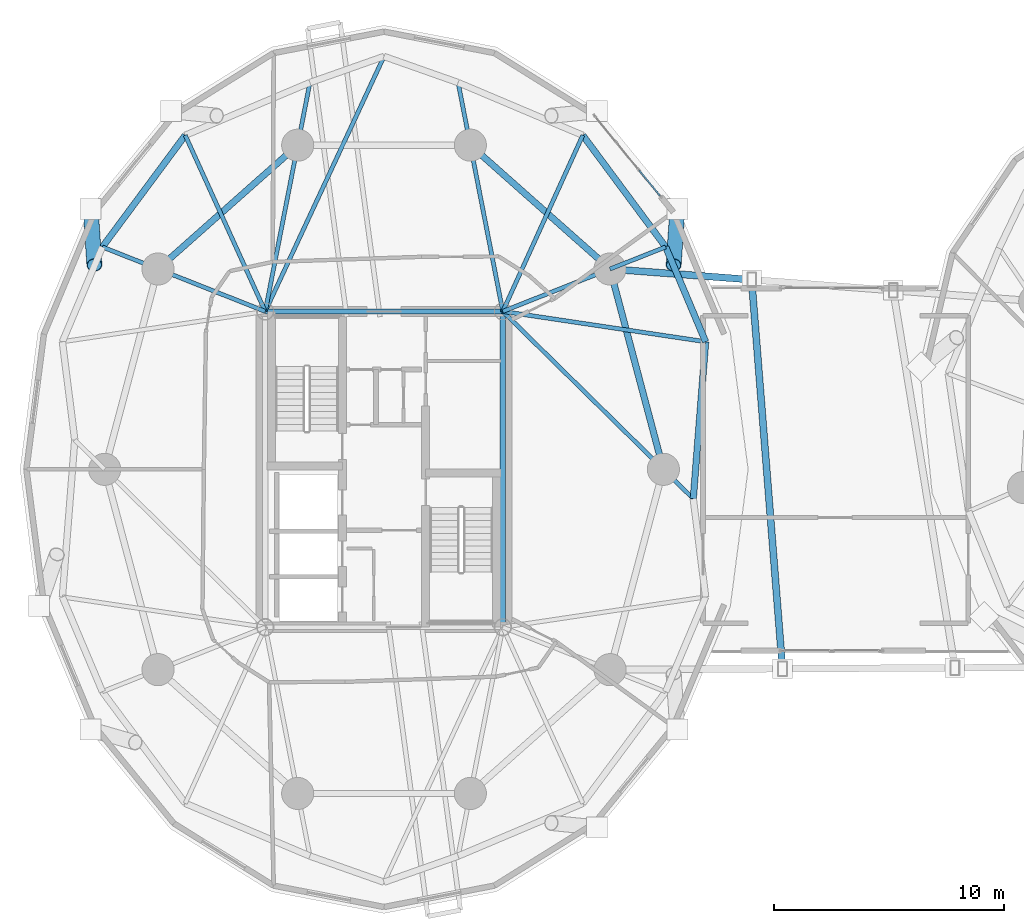
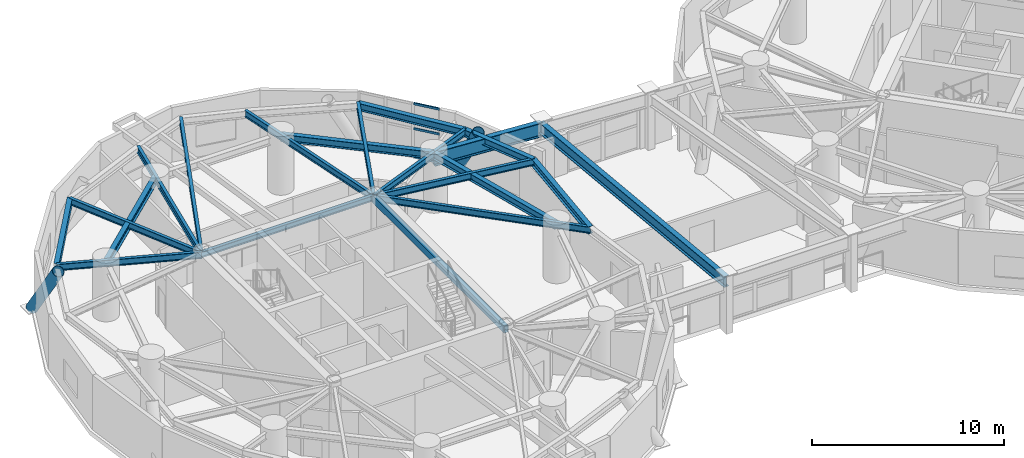
# One storey, part 2 of 20: 21 beams, 5 members, 1 element without a shape of its own.
"""IFC4 building model written with IfcOpenShell, lengths in metres."""

from ifc_helpers import new_model, si_unit, direction, frame, origin, origin_2d, place, context, subcontext, project, spatial, hollow_rectangle, hollow_circle, i_section, extrude, material, layer, layer_set, material_profile, profile_set, type_object, element, aggregate, save


model = new_model("IFC4")

# Units and contexts
model_context = context("Model", 3, precision=1e-05, world=origin(), true_north=direction((0.0, 1.0)))
body_context = subcontext(model_context, "Body", "Model", "MODEL_VIEW")
ifc_project = project(units=[si_unit("LENGTHUNIT", "METRE"), si_unit("AREAUNIT", "SQUARE_METRE"), si_unit("VOLUMEUNIT", "CUBIC_METRE"), si_unit("PLANEANGLEUNIT", "RADIAN"), si_unit("MASSUNIT", "GRAM", prefix="KILO")], contexts=[model_context])

# Site, building, storey
site_placement = place(None, origin())
site = spatial("IfcSite", under=ifc_project, at=site_placement, CompositionType="ELEMENT")
building_placement = place(site_placement, origin())
building = spatial("IfcBuilding", under=site, at=building_placement, Name="Cununo Teusaquillo Station Towers", CompositionType="ELEMENT")
storey_placement = place(building_placement, frame((0.0, 0.0, 140.320068359375)))
storey = spatial("IfcBuildingStorey", under=building, at=storey_placement, Name="L44", CompositionType="ELEMENT", Elevation=140.320068359375)

# Beams
ifc_material_1 = material(Name="Steel EN 10025-2 S355J2", Category="steel")
ifc_material_profile_1 = material_profile(ifc_material_1, i_section(OverallWidth=0.300048828125, OverallDepth=0.89990234375, WebThickness=0.0185546875, FlangeThickness=0.034912109375, FilletRadius=0.027099609375, at=origin_2d()), Name="HEB 900")
ifc_profile_set_1 = profile_set([ifc_material_profile_1], Name="Steel EN 10025-2 S355J2")
beam_type_1 = type_object("IfcBeamType", Name="BM-BRG-CH2", PredefinedType="BEAM", material=ifc_profile_set_1)
beam_1_placement = place(storey_placement, frame((26.347412109375, 33.228515625, 3.02001953125), z_axis=(0.997146155085, -0.075495333624, 0.0), x_axis=(0.075495333624, 0.997146155085, 0.0)))
element("IfcBeam", 1, at=beam_1_placement, inside=storey, type_object=beam_type_1, Name="L44 Mid-Bridge Chord N1", PredefinedType="BEAM", context=body_context, shape_type="SweptSolid", body=[
    extrude(i_section(OverallWidth=0.300048828125, OverallDepth=0.89990234375, WebThickness=0.0185546875, FlangeThickness=0.034912109375, FilletRadius=0.027099609375, at=origin_2d()), origin(), (0.0, 0.0, 1.0), 6.186279296875),
])
ifc_material_2 = material(Name="Steel EN 10025-2 S355J2", Category="steel")
ifc_material_profile_2 = material_profile(ifc_material_2, i_section(OverallWidth=0.300048828125, OverallDepth=0.699951171875, WebThickness=0.01708984375, FlangeThickness=0.031982421875, FilletRadius=0.027099609375, at=origin_2d()), Name="HEB 700")
ifc_profile_set_2 = profile_set([ifc_material_profile_2], Name="Steel EN 10025-2 S355J2")
beam_type_2 = type_object("IfcBeamType", Name="BM-BRG-FLR", PredefinedType="BEAM", material=ifc_profile_set_2)
beam_2_placement = place(storey_placement, frame((33.862548828125, 15.81201171875, 3.119873046875), z_axis=(-0.079188777853, 0.996859637794, 0.0), x_axis=(-0.996859637794, -0.079188777853, 0.0)))
element("IfcBeam", 2, at=beam_2_placement, inside=storey, type_object=beam_type_2, Name="L44 Mid-Bridge Transverse Floor Girder 1", PredefinedType="BEAM", context=body_context, shape_type="SweptSolid", body=[
    extrude(i_section(OverallWidth=0.300048828125, OverallDepth=0.699951171875, WebThickness=0.01708984375, FlangeThickness=0.031982421875, FilletRadius=0.027099609375, at=origin_2d()), origin(), (0.0, 0.0, 1.0), 17.0029296875),
])
ifc_material_3 = material(Name="Steel EN 10025-2 S355J2", Category="steel")
ifc_material_profile_3 = material_profile(ifc_material_3, hollow_rectangle(XDim=0.25, YDim=0.449951171875, WallThickness=0.01611328125, at=origin_2d()), Name="RHS 450x250x16")
ifc_profile_set_3 = profile_set([ifc_material_profile_3], Name="Steel EN 10025-2 S355J2")
beam_type_3 = type_object("IfcBeamType", Name="BM-COUP-1", PredefinedType="USERDEFINED", material=ifc_profile_set_3)
beam_3_placement = place(storey_placement, frame((21.675048828125, 17.6201171875, 3.2548828125), z_axis=(0.0, 1.0, 0.0), x_axis=(-1.0, 0.0, 0.0)))
element("IfcBeam", 3, at=beam_3_placement, inside=storey, type_object=beam_type_3, Name="L44 Tower A Core Beam 2", ObjectType="COUPLING BEAM", PredefinedType="USERDEFINED", context=body_context, shape_type="SweptSolid", body=[
    extrude(hollow_rectangle(XDim=0.25, YDim=0.449951171875, WallThickness=0.01611328125, at=origin_2d()), origin(), (0.0, 0.0, 1.0), 13.759765625),
])
ifc_material_4 = material(Name="Steel ASTM A572 Grade 50", Category="steel")
ifc_material_profile_4 = material_profile(ifc_material_4, i_section(OverallWidth=0.180908203125, OverallDepth=0.4169921875, WebThickness=0.010986328125, FlangeThickness=0.018310546875, FilletRadius=0.012939453125, at=origin_2d()), Name="W16X57")
ifc_profile_set_4 = profile_set([ifc_material_profile_4], Name="Steel ASTM A572 Grade 50")
beam_type_4 = type_object("IfcBeamType", Name="BM-JOIST-1", PredefinedType="JOIST", material=ifc_profile_set_4)
beam_4_placement = place(storey_placement, frame((21.675048828125, 31.3798828125, 3.271484375), z_axis=(0.989018754675, -0.147790063606, 0.0), x_axis=(0.147790063606, 0.989018754675, 0.0)))
element("IfcBeam", 4, at=beam_4_placement, inside=storey, type_object=beam_type_4, Name="L44 Tower A Radial Spandrel Joist V01", PredefinedType="JOIST", context=body_context, shape_type="SweptSolid", body=[
    extrude(i_section(OverallWidth=0.180908203125, OverallDepth=0.4169921875, WebThickness=0.010986328125, FlangeThickness=0.018310546875, FilletRadius=0.012939453125, at=origin_2d()), origin(), (0.0, 0.0, 1.0), 8.93701171875),
])
beam_5_placement = place(storey_placement, frame((21.675048828125, 31.3798828125, 3.271484375), z_axis=(0.413558514621, 0.910477542274, 0.0), x_axis=(-0.910477542274, 0.413558514621, 0.0)))
element("IfcBeam", 5, at=beam_5_placement, inside=storey, type_object=beam_type_4, Name="L44 Tower A Radial Spandrel Joist V03", PredefinedType="JOIST", context=body_context, shape_type="SweptSolid", body=[
    extrude(i_section(OverallWidth=0.180908203125, OverallDepth=0.4169921875, WebThickness=0.010986328125, FlangeThickness=0.018310546875, FilletRadius=0.012939453125, at=origin_2d()), origin(), (0.0, 0.0, 1.0), 8.428955078125),
])
beam_6_placement = place(storey_placement, frame((11.324951171875, 31.3798828125, 3.271484375), z_axis=(0.422237603969, 0.906485193368, 0.0), x_axis=(-0.906485193368, 0.422237603969, 0.0)))
element("IfcBeam", 6, at=beam_6_placement, inside=storey, type_object=beam_type_4, Name="L44 Tower A Radial Spandrel Joist V05", PredefinedType="JOIST", context=body_context, shape_type="SweptSolid", body=[
    extrude(i_section(OverallWidth=0.180908203125, OverallDepth=0.4169921875, WebThickness=0.010986328125, FlangeThickness=0.018310546875, FilletRadius=0.012939453125, at=origin_2d()), origin(), (0.0, 0.0, 1.0), 12.25634765625),
])
beam_7_placement = place(storey_placement, frame((11.324951171875, 31.3798828125, 3.271484375), z_axis=(-0.413558514621, 0.910477542274, 0.0), x_axis=(-0.910477542274, -0.413558514621, 0.0)))
element("IfcBeam", 7, at=beam_7_placement, inside=storey, type_object=beam_type_4, Name="L44 Tower A Radial Spandrel Joist V07", PredefinedType="JOIST", context=body_context, shape_type="SweptSolid", body=[
    extrude(i_section(OverallWidth=0.180908203125, OverallDepth=0.4169921875, WebThickness=0.010986328125, FlangeThickness=0.018310546875, FilletRadius=0.012939453125, at=origin_2d()), origin(), (0.0, 0.0, 1.0), 8.428955078125),
])
ifc_material_5 = material(Name="Steel ASTM A572 Grade 50", Category="steel")
ifc_material_profile_5 = material_profile(ifc_material_5, i_section(OverallWidth=0.2041015625, OverallDepth=0.35009765625, WebThickness=0.008544921875, FlangeThickness=0.01513671875, FilletRadius=0.011962890625, at=origin_2d()), Name="W14X48")
ifc_profile_set_5 = profile_set([ifc_material_profile_5], Name="Steel ASTM A572 Grade 50")
beam_type_5 = type_object("IfcBeamType", Name="BM-LINTEL-1", PredefinedType="LINTEL", material=ifc_profile_set_5)
beam_8_placement = place(storey_placement, frame((11.324951171875, 31.3798828125, 3.304931640625), z_axis=(1.0, 0.0, 0.0), x_axis=(0.0, 1.0, 0.0)))
element("IfcBeam", 8, at=beam_8_placement, inside=storey, type_object=beam_type_5, Name="L44 Tower A Core Beam 4", PredefinedType="LINTEL", context=body_context, shape_type="SweptSolid", body=[
    extrude(i_section(OverallWidth=0.2041015625, OverallDepth=0.35009765625, WebThickness=0.008544921875, FlangeThickness=0.01513671875, FilletRadius=0.011962890625, at=origin_2d()), origin(), (0.0, 0.0, 1.0), 10.35009765625),
])
ifc_material_6 = material(Name="Steel ASTM A572 Grade 50", Category="steel")
ifc_material_profile_6 = material_profile(ifc_material_6, i_section(OverallWidth=0.180908203125, OverallDepth=0.4169921875, WebThickness=0.010986328125, FlangeThickness=0.018310546875, FilletRadius=0.012939453125, at=origin_2d()), Name="W16X57")
ifc_profile_set_6 = profile_set([ifc_material_profile_6], Name="Steel ASTM A572 Grade 50")
beam_type_6 = type_object("IfcBeamType", Name="BM-RAD-G2", PredefinedType="BEAM", material=ifc_profile_set_6)
beam_9_placement = place(storey_placement, frame((21.675048828125, 31.3798828125, 3.271484375), z_axis=(0.71304866969, -0.701114537471, 0.0), x_axis=(0.701114537471, 0.71304866969, 0.0)))
element("IfcBeam", 9, at=beam_9_placement, inside=storey, type_object=beam_type_6, Name="L44 Tower A Continuous Overhanging Radial Girder 01", PredefinedType="BEAM", context=body_context, shape_type="SweptSolid", body=[
    extrude(i_section(OverallWidth=0.180908203125, OverallDepth=0.4169921875, WebThickness=0.010986328125, FlangeThickness=0.018310546875, FilletRadius=0.012939453125, at=origin_2d()), origin(), (0.0, 0.0, 1.0), 11.64013671875),
])
beam_10_placement = place(storey_placement, frame((21.675048828125, 31.3798828125, 3.271484375), z_axis=(0.929864104313, 0.367903176814, 0.0), x_axis=(-0.367903176814, 0.929864104313, 0.0)))
element("IfcBeam", 10, at=beam_10_placement, inside=storey, type_object=beam_type_6, Name="L44 Tower A Radial Girder 02A", PredefinedType="BEAM", context=body_context, shape_type="SweptSolid", body=[
    extrude(i_section(OverallWidth=0.180908203125, OverallDepth=0.4169921875, WebThickness=0.010986328125, FlangeThickness=0.018310546875, FilletRadius=0.012939453125, at=origin_2d()), origin(), (0.0, 0.0, 1.0), 5.02490234375),
])
beam_11_placement = place(storey_placement, frame((26.347412109375, 33.228515625, 3.271484375), z_axis=(0.929858677495, 0.367916892636, 0.0), x_axis=(-0.367916892636, 0.929858677495, 0.0)))
element("IfcBeam", 11, at=beam_11_placement, inside=storey, type_object=beam_type_6, Name="L44 Tower A Perimeter Overhang Girder 02B", PredefinedType="BEAM", context=body_context, shape_type="SweptSolid", body=[
    extrude(i_section(OverallWidth=0.180908203125, OverallDepth=0.4169921875, WebThickness=0.010986328125, FlangeThickness=0.018310546875, FilletRadius=0.012939453125, at=origin_2d()), origin(), (0.0, 0.0, 1.0), 2.607177734375),
])
for number, where, z_axis, x_axis, name in (
    (12, (21.675048828125, 31.3798828125, 3.271484375), (-0.191552706487, 0.981482328235, 0.0), (-0.981482328235, -0.191552706487, 0.0), "L44 Tower A Continuous Overhanging Radial Girder 03"),
    (13, (11.324951171875, 31.3798828125, 3.271484375), (0.191552706487, 0.981482328235, 0.0), (-0.981482328235, 0.191552706487, 0.0), "L44 Tower A Continuous Overhanging Radial Girder 04"),
):
    element("IfcBeam", number, at=place(storey_placement, frame(where, z_axis=z_axis, x_axis=x_axis)), inside=storey, type_object=beam_type_6, Name=name, PredefinedType="BEAM", context=body_context, shape_type="SweptSolid", body=[
        extrude(i_section(OverallWidth=0.180908203125, OverallDepth=0.4169921875, WebThickness=0.010986328125, FlangeThickness=0.018310546875, FilletRadius=0.012939453125, at=origin_2d()), origin(), (0.0, 0.0, 1.0), 10.159423828125),
    ])
beam_12_placement = place(storey_placement, frame((11.324951171875, 31.3798828125, 3.271484375), z_axis=(-0.929862250459, 0.367907862341, 0.0), x_axis=(-0.367907862341, -0.929862250459, 0.0)))
element("IfcBeam", 14, at=beam_12_placement, inside=storey, type_object=beam_type_6, Name="L44 Tower A Continuous Overhanging Radial Girder 05", PredefinedType="BEAM", context=body_context, shape_type="SweptSolid", body=[
    extrude(i_section(OverallWidth=0.180908203125, OverallDepth=0.4169921875, WebThickness=0.010986328125, FlangeThickness=0.018310546875, FilletRadius=0.012939453125, at=origin_2d()), origin(), (0.0, 0.0, 1.0), 7.632080078125),
])
ifc_material_7 = material(Name="Steel ASTM A572 Grade 50", Category="steel")
ifc_material_profile_7 = material_profile(ifc_material_7, i_section(OverallWidth=0.280029296875, OverallDepth=0.462890625, WebThickness=0.0107421875, FlangeThickness=0.017333984375, FilletRadius=0.013916015625, at=origin_2d()), Name="W18X76")
ifc_profile_set_7 = profile_set([ifc_material_profile_7], Name="Steel ASTM A572 Grade 50")
beam_type_7 = type_object("IfcBeamType", Name="BM-RING-Z2", PredefinedType="SPANDREL", material=ifc_profile_set_7)
beam_13_placement = place(storey_placement, frame((28.672119140625, 24.5, 3.24853515625), z_axis=(-0.257363196347, 0.966314744359, 0.0), x_axis=(-0.966314744359, -0.257363196347, 0.0)))
element("IfcBeam", 15, at=beam_13_placement, inside=storey, type_object=beam_type_7, Name="L44 Tower A Structural Column Ring Girder 01", PredefinedType="SPANDREL", context=body_context, shape_type="SweptSolid", body=[
    extrude(i_section(OverallWidth=0.280029296875, OverallDepth=0.462890625, WebThickness=0.0107421875, FlangeThickness=0.017333984375, FilletRadius=0.013916015625, at=origin_2d()), origin(), (0.0, 0.0, 1.0), 9.03271484375),
])
for number, where, z_axis, x_axis, name in (
    (16, (26.347412109375, 33.228515625, 3.24853515625), (-0.74832120039, 0.66333655187, 0.0), (-0.66333655187, -0.74832120039, 0.0), "L44 Tower A Structural Column Ring Girder 02"),
    (17, (12.738525390625, 38.623291015625, 3.24853515625), (-0.74832120039, -0.66333655187, 0.0), (0.66333655187, -0.74832120039, 0.0), "L44 Tower A Structural Column Ring Girder 04"),
):
    element("IfcBeam", number, at=place(storey_placement, frame(where, z_axis=z_axis, x_axis=x_axis)), inside=storey, type_object=beam_type_7, Name=name, PredefinedType="SPANDREL", context=body_context, shape_type="SweptSolid", body=[
        extrude(i_section(OverallWidth=0.280029296875, OverallDepth=0.462890625, WebThickness=0.0107421875, FlangeThickness=0.017333984375, FilletRadius=0.013916015625, at=origin_2d()), origin(), (0.0, 0.0, 1.0), 8.1328125),
    ])
beam_14_placement = place(storey_placement, frame((29.97509765625, 23.21875, 3.24853515625), z_axis=(0.078527541639, 0.996911944559, 0.0), x_axis=(-0.996911944559, 0.078527541639, 0.0)))
element("IfcBeam", 18, at=beam_14_placement, inside=storey, type_object=beam_type_7, Name="L44 Tower A Spandrel Ring Beam 01", PredefinedType="SPANDREL", context=body_context, shape_type="SweptSolid", body=[
    extrude(i_section(OverallWidth=0.280029296875, OverallDepth=0.462890625, WebThickness=0.0107421875, FlangeThickness=0.017333984375, FilletRadius=0.013916015625, at=origin_2d()), origin(), (0.0, 0.0, 1.0), 6.861572265625),
])
beam_15_placement = place(storey_placement, frame((30.513916015625, 30.05908203125, 3.24853515625), z_axis=(-0.388777827816, 0.921331536744, 0.0), x_axis=(-0.921331536744, -0.388777827816, 0.0)))
element("IfcBeam", 19, at=beam_15_placement, inside=storey, type_object=beam_type_7, Name="L44 Tower A Spandrel Ring Beam 02", PredefinedType="SPANDREL", context=body_context, shape_type="SweptSolid", body=[
    extrude(i_section(OverallWidth=0.280029296875, OverallDepth=0.462890625, WebThickness=0.0107421875, FlangeThickness=0.017333984375, FilletRadius=0.013916015625, at=origin_2d()), origin(), (0.0, 0.0, 1.0), 4.481201171875),
])
for number, where, z_axis, x_axis, name in (
    (20, (28.771728515625, 34.187744140625, 3.24853515625), (-0.595872908853, 0.803078748626, 0.0), (-0.803078748626, -0.595872908853, 0.0), "L44 Tower A Spandrel Ring Beam 03"),
    (21, (7.839111328125, 39.05419921875, 3.24853515625), (-0.595872908853, -0.803078748626, 0.0), (0.803078748626, -0.595872908853, 0.0), "L44 Tower A Spandrel Ring Beam 08"),
):
    element("IfcBeam", number, at=place(storey_placement, frame(where, z_axis=z_axis, x_axis=x_axis)), inside=storey, type_object=beam_type_7, Name=name, PredefinedType="SPANDREL", context=body_context, shape_type="SweptSolid", body=[
        extrude(i_section(OverallWidth=0.280029296875, OverallDepth=0.462890625, WebThickness=0.0107421875, FlangeThickness=0.017333984375, FilletRadius=0.013916015625, at=origin_2d()), origin(), (0.0, 0.0, 1.0), 6.059814453125),
    ])

# Curtain wall, members
ifc_material_8 = material(Name="Ceramic-fritted dark low-E double glazing", Category="glass")
ifc_layer = layer(ifc_material_8, 0.179931640625)
ifc_layer_set = layer_set([ifc_layer], Name="Ceramic-fritted dark low-E double glazing")
curtain_wall_type = type_object("IfcCurtainWallType", Name="CW-SYS-04", PredefinedType="USERDEFINED", material=ifc_layer_set)
curtain_wall_placement = place(storey_placement, origin())
curtain_wall = element("IfcCurtainWall", 22, at=curtain_wall_placement, inside=storey, type_object=curtain_wall_type, Name="L44 Tower A Facade Curtain Wall C02", ObjectType="FRITTED GLAZING", PredefinedType="USERDEFINED")
ifc_material_9 = material(Name="Anodised dark bronze aluminium EN AW-6063-T6", Category="aluminium")
ifc_material_profile_8 = material_profile(ifc_material_9, hollow_rectangle(XDim=0.070068359375, YDim=0.139892578125, WallThickness=0.00390625, at=origin_2d()), Name="CW-TRAN-70x140")
ifc_profile_set_8 = profile_set([ifc_material_profile_8], Name="Anodised dark bronze aluminium EN AW-6063-T6")
member_type_1 = type_object("IfcMemberType", Name="CWT-140", PredefinedType="USERDEFINED", material=ifc_profile_set_8)
member_1_placement = place(storey_placement, frame((27.619873046875, 37.527099609375, 0.034912109375), z_axis=(0.632669622249, -0.774421815991, 0.0), x_axis=(0.774421815991, 0.632669622249, 0.0)))
member_1 = element("IfcMember", 23, at=member_1_placement, type_object=member_type_1, Name="CW-04 transom 3.1", ObjectType="TRANSOM", PredefinedType="USERDEFINED", context=body_context, shape_type="SweptSolid", body=[
    extrude(hollow_rectangle(XDim=0.070068359375, YDim=0.139892578125, WallThickness=0.00390625, at=origin_2d()), origin(), (0.0, 0.0, 1.0), 1.427734375),
])
member_2_placement = place(storey_placement, frame((27.619873046875, 37.527099609375, 1.849853515625), z_axis=(0.632669622249, -0.774421815991, 0.0), x_axis=(0.774421815991, 0.632669622249, 0.0)))
member_2 = element("IfcMember", 24, at=member_2_placement, type_object=member_type_1, Name="CW-04 transom 3.2", ObjectType="TRANSOM", PredefinedType="USERDEFINED", context=body_context, shape_type="SweptSolid", body=[
    extrude(hollow_rectangle(XDim=0.070068359375, YDim=0.139892578125, WallThickness=0.00390625, at=origin_2d()), origin(), (0.0, 0.0, 1.0), 1.427734375),
])
member_3_placement = place(storey_placement, frame((27.619873046875, 37.527099609375, 3.429931640625), z_axis=(0.632669622249, -0.774421815991, 0.0), x_axis=(0.774421815991, 0.632669622249, 0.0)))
member_3 = element("IfcMember", 25, at=member_3_placement, type_object=member_type_1, Name="CW-04 transom 3.3", ObjectType="TRANSOM", PredefinedType="USERDEFINED", context=body_context, shape_type="SweptSolid", body=[
    extrude(hollow_rectangle(XDim=0.070068359375, YDim=0.139892578125, WallThickness=0.00390625, at=origin_2d()), origin(), (0.0, 0.0, 1.0), 1.427734375),
])
aggregate(curtain_wall, [member_1, member_2, member_3])

# Members
ifc_material_10 = material(Name="Steel EN 10025-2 S355J2", Category="steel")
ifc_material_profile_9 = material_profile(ifc_material_10, hollow_circle(Radius=0.330078125, WallThickness=0.02490234375, at=origin_2d()), Name="CHS 660x25")
ifc_profile_set_9 = profile_set([ifc_material_profile_9], Name="Steel EN 10025-2 S355J2")
member_type_2 = type_object("IfcMemberType", Name="MBR-DIAG-Z2", PredefinedType="BRACE", material=ifc_profile_set_9)
for number, where, z_axis, x_axis, name in (
    (26, (29.283203125, 35.83837890625, -0.14013671875), (-0.037036384851, -0.547425202461, 0.83603466071), (0.997719186324, -0.067501298062, 0.0), "L44 Tower A Folded-Zigzag Diagrid Tube C01"),
    (27, (3.716796875, 35.83837890625, -0.14013671875), (0.037036384851, -0.547425202461, 0.83603466071), (0.997719186324, 0.067501298062, 0.0), "L44 Tower A Folded-Zigzag Diagrid Tube C08"),
):
    element("IfcMember", number, at=place(storey_placement, frame(where, z_axis=z_axis, x_axis=x_axis)), inside=storey, type_object=member_type_2, Name=name, PredefinedType="BRACE", context=body_context, shape_type="SweptSolid", body=[
        extrude(hollow_circle(Radius=0.330078125, WallThickness=0.02490234375, at=origin_2d()), origin(), (0.0, 0.0, 1.0), 4.449462890625),
    ])

save(model, "model.ifc")
